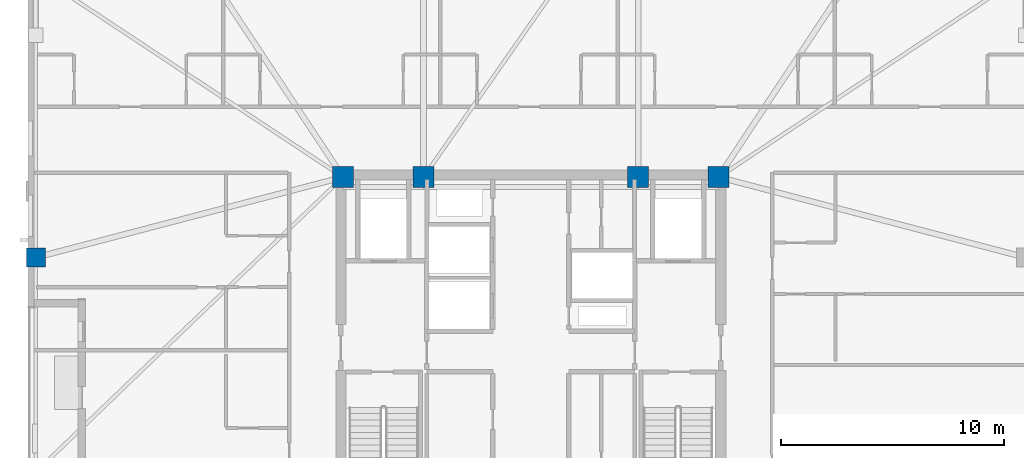
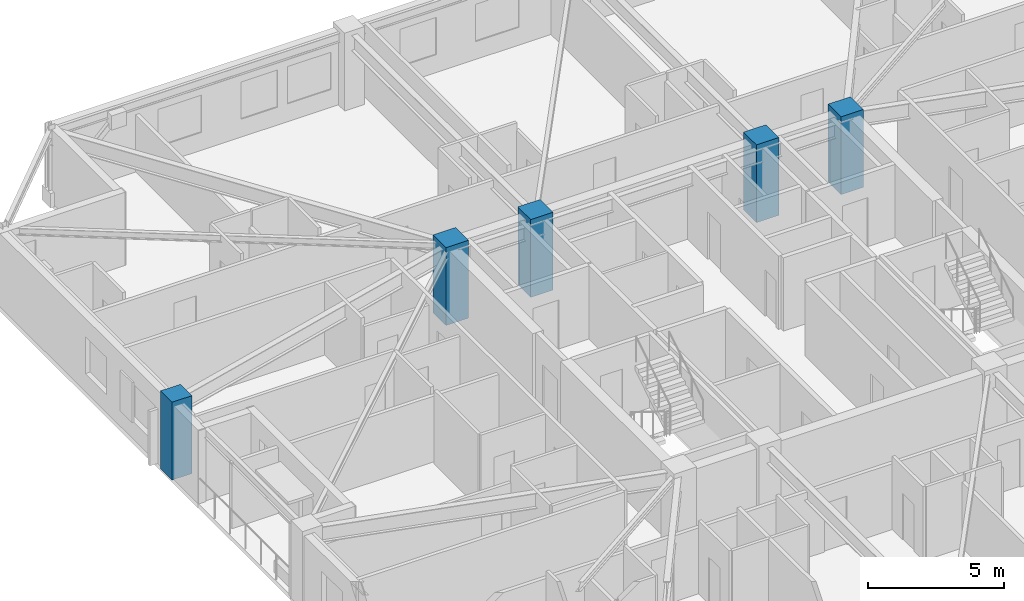
# One storey, part 2 of 17: 5 columns.
"""IFC4 building model written with IfcOpenShell, lengths in metres."""

from ifc_helpers import new_model, si_unit, direction, frame, origin, origin_2d, place, context, subcontext, project, spatial, rectangle, extrude, material, material_profile, profile_set, type_object, element, save


model = new_model("IFC4")

# Units and contexts
model_context = context("Model", 3, precision=1e-05, world=origin(), true_north=direction((0.0, 1.0)))
body_context = subcontext(model_context, "Body", "Model", "MODEL_VIEW")
ifc_project = project(units=[si_unit("LENGTHUNIT", "METRE"), si_unit("AREAUNIT", "SQUARE_METRE"), si_unit("VOLUMEUNIT", "CUBIC_METRE"), si_unit("PLANEANGLEUNIT", "RADIAN"), si_unit("MASSUNIT", "GRAM", prefix="KILO")], contexts=[model_context])

# Site, building, storey
site_placement = place(None, origin())
site = spatial("IfcSite", under=ifc_project, at=site_placement, CompositionType="ELEMENT")
building_placement = place(site_placement, origin())
building = spatial("IfcBuilding", under=site, at=building_placement, Name="Cairnveth Concourse Tower", CompositionType="ELEMENT")
storey_placement = place(building_placement, frame((0.0, 0.0, 237.5)))
storey = spatial("IfcBuildingStorey", under=building, at=storey_placement, Name="L65", CompositionType="ELEMENT", Elevation=237.5)

# Columns
ifc_material = material(Name="Concrete N65 (65 MPa)", Category="concrete")
ifc_material_profile_1 = material_profile(ifc_material, rectangle(XDim=0.949951171875, YDim=0.949951171875, at=origin_2d()), Name="RC-COL-950x950")
ifc_profile_set_1 = profile_set([ifc_material_profile_1], Name="Concrete N65 (65 MPa)")
column_type_1 = type_object("IfcColumnType", Name="CORE COLUMN 950X950", PredefinedType="COLUMN", material=ifc_profile_set_1)
for number, where, z_axis, x_axis, name in (
    (1, (43.60009765625, 47.39990234375, 0.0), (0.0, 0.0, 1.0), (1.0, 0.0, 0.0), "Column CC5 L65"),
    (2, (47.199951171875, 47.39990234375, 0.0), (0.0, 0.0, 1.0), (1.0, 0.0, 0.0), "Column CC6 L65"),
    (3, (56.800048828125, 47.39990234375, 0.0), (0.0, 0.0, 1.0), (1.0, 0.0, 0.0), "Column CC7 L65"),
    (4, (60.39990234375, 47.39990234375, 0.0), (0.0, 0.0, 1.0), (1.0, 0.0, 0.0), "Column CC8 L65"),
):
    element("IfcColumn", number, at=place(storey_placement, frame(where, z_axis=z_axis, x_axis=x_axis)), inside=storey, type_object=column_type_1, Name=name, PredefinedType="COLUMN", context=body_context, shape_type="SweptSolid", body=[
        extrude(rectangle(XDim=0.949951171875, YDim=0.949951171875, at=origin_2d()), origin(), (0.0, 0.0, 1.0), 3.5),
    ])
ifc_material_profile_2 = material_profile(ifc_material, rectangle(XDim=0.85009765625, YDim=0.85009765625, at=origin_2d()), Name="RC-COL-850x850")
ifc_profile_set_2 = profile_set([ifc_material_profile_2], Name="Concrete N65 (65 MPa)")
column_type_2 = type_object("IfcColumnType", Name="PERIMETER PIER COLUMN 850X850", PredefinedType="COLUMN", material=ifc_profile_set_2)
column_placement = place(storey_placement, frame((29.85009765625, 43.800048828125, 0.0), z_axis=(0.0, 0.0, 1.0), x_axis=(0.0, 1.0, 0.0)))
element("IfcColumn", 5, at=column_placement, inside=storey, type_object=column_type_2, Name="Column P-W2 L65", PredefinedType="COLUMN", context=body_context, shape_type="SweptSolid", body=[
    extrude(rectangle(XDim=0.85009765625, YDim=0.85009765625, at=origin_2d()), origin(), (0.0, 0.0, 1.0), 3.5),
])

save(model, "model.ifc")
